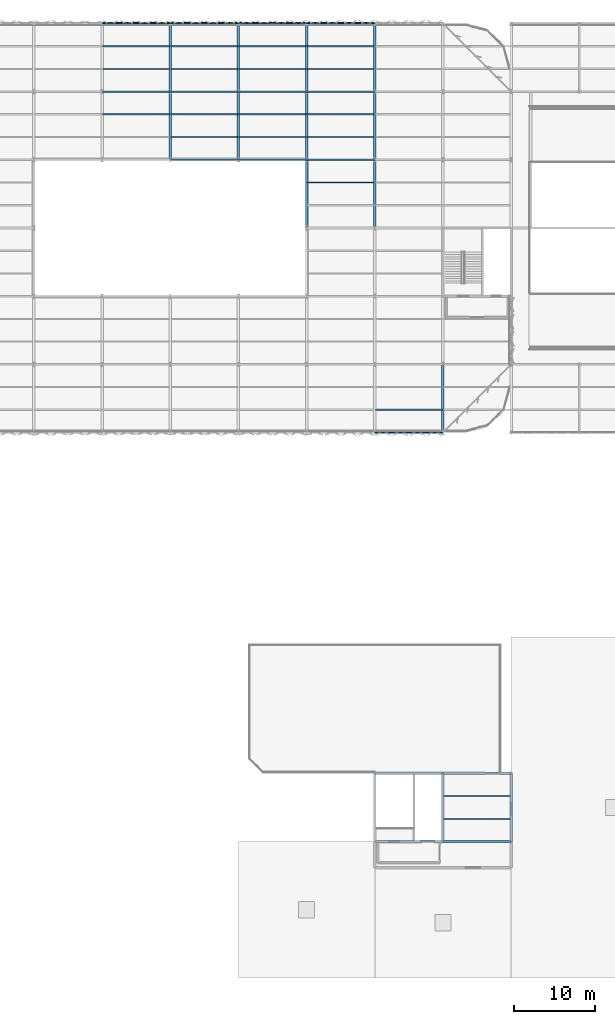
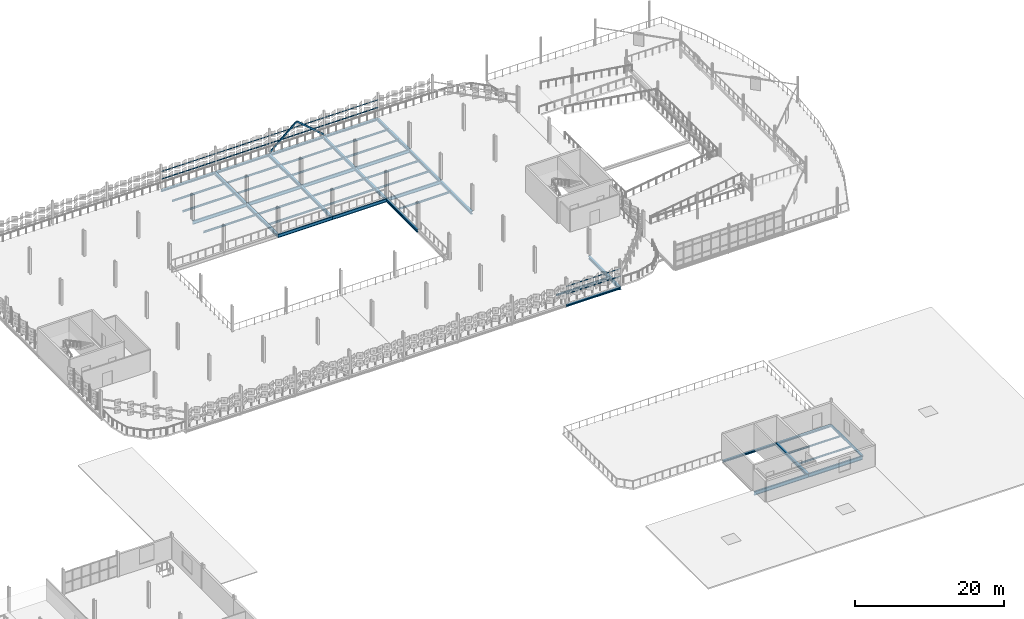
# One storey, part 29 of 69: 58 beams, 2 members.
"""IFC4 building model written with IfcOpenShell, lengths in metres."""

from ifc_helpers import new_model, si_unit, direction, frame, origin, origin_2d, place, context, subcontext, project, spatial, hollow_rectangle, i_section, extrude, material, material_profile, profile_set, type_object, element, save


model = new_model("IFC4")

# Units and contexts
model_context = context("Model", 3, precision=1e-05, world=origin(), true_north=direction((0.0, 1.0)))
body_context = subcontext(model_context, "Body", "Model", "MODEL_VIEW")
ifc_project = project(units=[si_unit("LENGTHUNIT", "METRE"), si_unit("AREAUNIT", "SQUARE_METRE"), si_unit("VOLUMEUNIT", "CUBIC_METRE"), si_unit("PLANEANGLEUNIT", "RADIAN"), si_unit("MASSUNIT", "GRAM", prefix="KILO")], contexts=[model_context])

# Site, building, storey
site_placement = place(None, origin())
site = spatial("IfcSite", under=ifc_project, at=site_placement, CompositionType="ELEMENT")
building_placement = place(site_placement, origin())
building = spatial("IfcBuilding", under=site, at=building_placement, Name="Qalvenar Corner Mobility Hub", CompositionType="ELEMENT")
storey_placement = place(building_placement, frame((0.0, 0.0, 13.199951171875)))
storey = spatial("IfcBuildingStorey", under=building, at=storey_placement, Name="L03", CompositionType="ELEMENT", Elevation=13.199951171875)

# Beams
ifc_material = material(Name="Steel S355", Category="steel")
ifc_material_profile_1 = material_profile(ifc_material, i_section(OverallWidth=0.300048828125, OverallDepth=0.489990234375, WebThickness=0.011962890625, FlangeThickness=0.02294921875, FilletRadius=0.027099609375, at=origin_2d()), Name="HEA500")
ifc_profile_set_1 = profile_set([ifc_material_profile_1], Name="Steel S355")
beam_type_1 = type_object("IfcBeamType", Name="BM-HEA500", PredefinedType="BEAM", material=ifc_profile_set_1)
for number, where, z_axis, x_axis, name in (
    (1, (134.39990234375, 16.800048828125, -0.494873046875), (0.0, 1.0, 0.0), (-1.0, 0.0, 0.0), "Primary Steel Girder GY-2321"),
    (2, (100.800048828125, 100.800048828125, -0.48486328125), (0.0, 1.0, 0.0), (-1.0, 0.0, 0.0), "Primary Steel Girder GY-2415"),
):
    element("IfcBeam", number, at=place(storey_placement, frame(where, z_axis=z_axis, x_axis=x_axis)), inside=storey, type_object=beam_type_1, Name=name, PredefinedType="BEAM", context=body_context, shape_type="SweptSolid", body=[
        extrude(i_section(OverallWidth=0.300048828125, OverallDepth=0.489990234375, WebThickness=0.011962890625, FlangeThickness=0.02294921875, FilletRadius=0.027099609375, at=origin_2d()), origin(), (0.0, 0.0, 1.0), 8.39990234375),
    ])
beam_1_placement = place(storey_placement, frame((100.800048828125, 109.199951171875, -0.48486328125), z_axis=(0.0, 1.0, 0.0), x_axis=(-1.0, 0.0, 0.0)))
element("IfcBeam", 3, at=beam_1_placement, inside=storey, type_object=beam_type_1, Name="Primary Steel Girder GY-2416", PredefinedType="BEAM", context=body_context, shape_type="SweptSolid", body=[
    extrude(i_section(OverallWidth=0.300048828125, OverallDepth=0.489990234375, WebThickness=0.011962890625, FlangeThickness=0.02294921875, FilletRadius=0.027099609375, at=origin_2d()), origin(), (0.0, 0.0, 1.0), 8.400146484375),
])
beam_2_placement = place(storey_placement, frame((109.199951171875, 100.800048828125, -0.48486328125), z_axis=(0.0, 1.0, 0.0), x_axis=(-1.0, 0.0, 0.0)))
element("IfcBeam", 4, at=beam_2_placement, inside=storey, type_object=beam_type_1, Name="Primary Steel Girder GY-2419", PredefinedType="BEAM", context=body_context, shape_type="SweptSolid", body=[
    extrude(i_section(OverallWidth=0.300048828125, OverallDepth=0.489990234375, WebThickness=0.011962890625, FlangeThickness=0.02294921875, FilletRadius=0.027099609375, at=origin_2d()), origin(), (0.0, 0.0, 1.0), 8.39990234375),
])
for number, where, z_axis, x_axis, name in (
    (5, (109.199951171875, 109.199951171875, -0.48486328125), (0.0, 1.0, 0.0), (-1.0, 0.0, 0.0), "Primary Steel Girder GY-2420"),
    (6, (117.60009765625, 92.39990234375, -0.48486328125), (0.0, 1.0, 0.0), (-1.0, 0.0, 0.0), "Primary Steel Girder GY-2424"),
):
    element("IfcBeam", number, at=place(storey_placement, frame(where, z_axis=z_axis, x_axis=x_axis)), inside=storey, type_object=beam_type_1, Name=name, PredefinedType="BEAM", context=body_context, shape_type="SweptSolid", body=[
        extrude(i_section(OverallWidth=0.300048828125, OverallDepth=0.489990234375, WebThickness=0.011962890625, FlangeThickness=0.02294921875, FilletRadius=0.027099609375, at=origin_2d()), origin(), (0.0, 0.0, 1.0), 8.400146484375),
    ])
beam_3_placement = place(storey_placement, frame((117.60009765625, 100.800048828125, -0.48486328125), z_axis=(0.0, 1.0, 0.0), x_axis=(-1.0, 0.0, 0.0)))
element("IfcBeam", 7, at=beam_3_placement, inside=storey, type_object=beam_type_1, Name="Primary Steel Girder GY-2425", PredefinedType="BEAM", context=body_context, shape_type="SweptSolid", body=[
    extrude(i_section(OverallWidth=0.300048828125, OverallDepth=0.489990234375, WebThickness=0.011962890625, FlangeThickness=0.02294921875, FilletRadius=0.027099609375, at=origin_2d()), origin(), (0.0, 0.0, 1.0), 8.39990234375),
])
for number, where, z_axis, x_axis, name in (
    (8, (117.60009765625, 109.199951171875, -0.48486328125), (0.0, 1.0, 0.0), (-1.0, 0.0, 0.0), "Primary Steel Girder GY-2426"),
    (9, (126.0, 92.39990234375, -0.48486328125), (0.0, 1.0, 0.0), (-1.0, 0.0, 0.0), "Primary Steel Girder GY-2430"),
):
    element("IfcBeam", number, at=place(storey_placement, frame(where, z_axis=z_axis, x_axis=x_axis)), inside=storey, type_object=beam_type_1, Name=name, PredefinedType="BEAM", context=body_context, shape_type="SweptSolid", body=[
        extrude(i_section(OverallWidth=0.300048828125, OverallDepth=0.489990234375, WebThickness=0.011962890625, FlangeThickness=0.02294921875, FilletRadius=0.027099609375, at=origin_2d()), origin(), (0.0, 0.0, 1.0), 8.400146484375),
    ])
beam_4_placement = place(storey_placement, frame((126.0, 100.800048828125, -0.48486328125), z_axis=(0.0, 1.0, 0.0), x_axis=(-1.0, 0.0, 0.0)))
element("IfcBeam", 10, at=beam_4_placement, inside=storey, type_object=beam_type_1, Name="Primary Steel Girder GY-2431", PredefinedType="BEAM", context=body_context, shape_type="SweptSolid", body=[
    extrude(i_section(OverallWidth=0.300048828125, OverallDepth=0.489990234375, WebThickness=0.011962890625, FlangeThickness=0.02294921875, FilletRadius=0.027099609375, at=origin_2d()), origin(), (0.0, 0.0, 1.0), 8.39990234375),
])
for number, where, z_axis, x_axis, name in (
    (11, (126.0, 109.199951171875, -0.48486328125), (0.0, 1.0, 0.0), (-1.0, 0.0, 0.0), "Primary Steel Girder GY-2432"),
    (12, (134.39990234375, 67.199951171875, -0.48486328125), (0.0, 1.0, 0.0), (-1.0, 0.0, 0.0), "Primary Steel Girder GY-2433"),
):
    element("IfcBeam", number, at=place(storey_placement, frame(where, z_axis=z_axis, x_axis=x_axis)), inside=storey, type_object=beam_type_1, Name=name, PredefinedType="BEAM", context=body_context, shape_type="SweptSolid", body=[
        extrude(i_section(OverallWidth=0.300048828125, OverallDepth=0.489990234375, WebThickness=0.011962890625, FlangeThickness=0.02294921875, FilletRadius=0.027099609375, at=origin_2d()), origin(), (0.0, 0.0, 1.0), 8.400146484375),
    ])
ifc_material_profile_2 = material_profile(ifc_material, i_section(OverallWidth=0.2099609375, OverallDepth=0.550048828125, WebThickness=0.010986328125, FlangeThickness=0.01708984375, FilletRadius=0.02392578125, at=origin_2d()), Name="IPE550")
ifc_profile_set_2 = profile_set([ifc_material_profile_2], Name="Steel S355")
beam_type_2 = type_object("IfcBeamType", Name="BM-IPE550", PredefinedType="BEAM", material=ifc_profile_set_2)
beam_5_placement = place(storey_placement, frame((100.800048828125, 100.800048828125, -0.514892578125), z_axis=(1.0, 0.0, 0.0), x_axis=(0.0, 1.0, 0.0)))
element("IfcBeam", 13, at=beam_5_placement, inside=storey, type_object=beam_type_2, Name="Primary Steel Girder GX-2364", PredefinedType="BEAM", context=body_context, shape_type="SweptSolid", body=[
    extrude(i_section(OverallWidth=0.2099609375, OverallDepth=0.550048828125, WebThickness=0.010986328125, FlangeThickness=0.01708984375, FilletRadius=0.02392578125, at=origin_2d()), origin(), (0.0, 0.0, 1.0), 8.39990234375),
])
beam_6_placement = place(storey_placement, frame((109.199951171875, 100.800048828125, -0.514892578125), z_axis=(1.0, 0.0, 0.0), x_axis=(0.0, 1.0, 0.0)))
element("IfcBeam", 14, at=beam_6_placement, inside=storey, type_object=beam_type_2, Name="Primary Steel Girder GX-2365", PredefinedType="BEAM", context=body_context, shape_type="SweptSolid", body=[
    extrude(i_section(OverallWidth=0.2099609375, OverallDepth=0.550048828125, WebThickness=0.010986328125, FlangeThickness=0.01708984375, FilletRadius=0.02392578125, at=origin_2d()), origin(), (0.0, 0.0, 1.0), 8.400146484375),
])
beam_7_placement = place(storey_placement, frame((117.60009765625, 100.800048828125, -0.514892578125), z_axis=(1.0, 0.0, 0.0), x_axis=(0.0, 1.0, 0.0)))
element("IfcBeam", 15, at=beam_7_placement, inside=storey, type_object=beam_type_2, Name="Primary Steel Girder GX-2366", PredefinedType="BEAM", context=body_context, shape_type="SweptSolid", body=[
    extrude(i_section(OverallWidth=0.2099609375, OverallDepth=0.550048828125, WebThickness=0.010986328125, FlangeThickness=0.01708984375, FilletRadius=0.02392578125, at=origin_2d()), origin(), (0.0, 0.0, 1.0), 8.39990234375),
])
beam_8_placement = place(storey_placement, frame((92.39990234375, 109.199951171875, -0.514892578125), z_axis=(1.0, 0.0, 0.0), x_axis=(0.0, 1.0, 0.0)))
element("IfcBeam", 16, at=beam_8_placement, inside=storey, type_object=beam_type_2, Name="Primary Steel Girder GX-2373", PredefinedType="BEAM", context=body_context, shape_type="SweptSolid", body=[
    extrude(i_section(OverallWidth=0.2099609375, OverallDepth=0.550048828125, WebThickness=0.010986328125, FlangeThickness=0.01708984375, FilletRadius=0.02392578125, at=origin_2d()), origin(), (0.0, 0.0, 1.0), 8.400146484375),
])
beam_9_placement = place(storey_placement, frame((100.800048828125, 109.199951171875, -0.514892578125), z_axis=(1.0, 0.0, 0.0), x_axis=(0.0, 1.0, 0.0)))
element("IfcBeam", 17, at=beam_9_placement, inside=storey, type_object=beam_type_2, Name="Primary Steel Girder GX-2374", PredefinedType="BEAM", context=body_context, shape_type="SweptSolid", body=[
    extrude(i_section(OverallWidth=0.2099609375, OverallDepth=0.550048828125, WebThickness=0.010986328125, FlangeThickness=0.01708984375, FilletRadius=0.02392578125, at=origin_2d()), origin(), (0.0, 0.0, 1.0), 8.39990234375),
])
beam_10_placement = place(storey_placement, frame((109.199951171875, 109.199951171875, -0.514892578125), z_axis=(1.0, 0.0, 0.0), x_axis=(0.0, 1.0, 0.0)))
element("IfcBeam", 18, at=beam_10_placement, inside=storey, type_object=beam_type_2, Name="Primary Steel Girder GX-2375", PredefinedType="BEAM", context=body_context, shape_type="SweptSolid", body=[
    extrude(i_section(OverallWidth=0.2099609375, OverallDepth=0.550048828125, WebThickness=0.010986328125, FlangeThickness=0.01708984375, FilletRadius=0.02392578125, at=origin_2d()), origin(), (0.0, 0.0, 1.0), 8.400146484375),
])
beam_11_placement = place(storey_placement, frame((117.60009765625, 109.199951171875, -0.514892578125), z_axis=(1.0, 0.0, 0.0), x_axis=(0.0, 1.0, 0.0)))
element("IfcBeam", 19, at=beam_11_placement, inside=storey, type_object=beam_type_2, Name="Primary Steel Girder GX-2376", PredefinedType="BEAM", context=body_context, shape_type="SweptSolid", body=[
    extrude(i_section(OverallWidth=0.2099609375, OverallDepth=0.550048828125, WebThickness=0.010986328125, FlangeThickness=0.01708984375, FilletRadius=0.02392578125, at=origin_2d()), origin(), (0.0, 0.0, 1.0), 8.39990234375),
])
ifc_material_profile_3 = material_profile(ifc_material, i_section(OverallWidth=0.219970703125, OverallDepth=0.60009765625, WebThickness=0.011962890625, FlangeThickness=0.01904296875, FilletRadius=0.02392578125, at=origin_2d()), Name="IPE600")
ifc_profile_set_3 = profile_set([ifc_material_profile_3], Name="Steel S355")
beam_type_3 = type_object("IfcBeamType", Name="BM-IPE600", PredefinedType="BEAM", material=ifc_profile_set_3)
beam_12_placement = place(storey_placement, frame((126.0, 16.800048828125, -0.550048828125), z_axis=(1.0, 0.0, 0.0), x_axis=(0.0, 1.0, 0.0)))
element("IfcBeam", 20, at=beam_12_placement, inside=storey, type_object=beam_type_3, Name="Primary Steel Girder GX-2316", PredefinedType="BEAM", context=body_context, shape_type="SweptSolid", body=[
    extrude(i_section(OverallWidth=0.219970703125, OverallDepth=0.60009765625, WebThickness=0.011962890625, FlangeThickness=0.01904296875, FilletRadius=0.02392578125, at=origin_2d()), origin(), (0.0, 0.0, 1.0), 8.39990234375),
])
beam_13_placement = place(storey_placement, frame((134.39990234375, 16.800048828125, -0.550048828125), z_axis=(1.0, 0.0, 0.0), x_axis=(0.0, 1.0, 0.0)))
element("IfcBeam", 21, at=beam_13_placement, inside=storey, type_object=beam_type_3, Name="Primary Steel Girder GX-2317", PredefinedType="BEAM", context=body_context, shape_type="SweptSolid", body=[
    extrude(i_section(OverallWidth=0.219970703125, OverallDepth=0.60009765625, WebThickness=0.011962890625, FlangeThickness=0.01904296875, FilletRadius=0.02392578125, at=origin_2d()), origin(), (0.0, 0.0, 1.0), 8.400146484375),
])
ifc_material_profile_4 = material_profile(ifc_material, i_section(OverallWidth=0.135009765625, OverallDepth=0.27001953125, WebThickness=0.006591796875, FlangeThickness=0.01025390625, FilletRadius=0.014892578125, at=origin_2d()), Name="IPE270")
ifc_profile_set_4 = profile_set([ifc_material_profile_4], Name="Steel S355")
beam_type_4 = type_object("IfcBeamType", Name="BM-JST270", PredefinedType="JOIST", material=ifc_profile_set_4)
for number, where, z_axis, x_axis, name in (
    (22, (134.47802734375, 19.60009765625, -0.385009765625), (1.0, 0.0, 0.0), (0.0, 1.0, 0.0), "Composite Floor Joist J-2323"),
    (23, (134.47802734375, 22.39990234375, -0.385009765625), (1.0, 0.0, 0.0), (0.0, 1.0, 0.0), "Composite Floor Joist J-2324"),
):
    element("IfcBeam", number, at=place(storey_placement, frame(where, z_axis=z_axis, x_axis=x_axis)), inside=storey, type_object=beam_type_4, Name=name, PredefinedType="JOIST", context=body_context, shape_type="SweptSolid", body=[
        extrude(i_section(OverallWidth=0.135009765625, OverallDepth=0.27001953125, WebThickness=0.006591796875, FlangeThickness=0.01025390625, FilletRadius=0.014892578125, at=origin_2d()), origin(), (0.0, 0.0, 1.0), 8.243896484375),
    ])
ifc_material_profile_5 = material_profile(ifc_material, i_section(OverallWidth=0.14990234375, OverallDepth=0.300048828125, WebThickness=0.007080078125, FlangeThickness=0.0107421875, FilletRadius=0.014892578125, at=origin_2d()), Name="IPE300")
ifc_profile_set_5 = profile_set([ifc_material_profile_5], Name="Steel S355")
beam_type_5 = type_object("IfcBeamType", Name="BM-JST300", PredefinedType="JOIST", material=ifc_profile_set_5)
for number, where, z_axis, x_axis, name in (
    (24, (92.47802734375, 106.39990234375, -0.389892578125), (1.0, 0.0, 0.0), (0.0, 1.0, 0.0), "Composite Floor Joist J-2486"),
    (25, (92.47802734375, 112.0, -0.389892578125), (1.0, 0.0, 0.0), (0.0, 1.0, 0.0), "Composite Floor Joist J-2487"),
    (26, (92.47802734375, 114.800048828125, -0.389892578125), (1.0, 0.0, 0.0), (0.0, 1.0, 0.0), "Composite Floor Joist J-2488"),
):
    element("IfcBeam", number, at=place(storey_placement, frame(where, z_axis=z_axis, x_axis=x_axis)), inside=storey, type_object=beam_type_5, Name=name, PredefinedType="JOIST", context=body_context, shape_type="SweptSolid", body=[
        extrude(i_section(OverallWidth=0.14990234375, OverallDepth=0.300048828125, WebThickness=0.007080078125, FlangeThickness=0.0107421875, FilletRadius=0.014892578125, at=origin_2d()), origin(), (0.0, 0.0, 1.0), 8.243896484375),
    ])
for number, where, z_axis, x_axis, name in (
    (27, (100.8779296875, 103.60009765625, -0.389892578125), (1.0, 0.0, 0.0), (0.0, 1.0, 0.0), "Composite Floor Joist J-2493"),
    (28, (100.8779296875, 106.39990234375, -0.389892578125), (1.0, 0.0, 0.0), (0.0, 1.0, 0.0), "Composite Floor Joist J-2494"),
    (29, (100.8779296875, 112.0, -0.389892578125), (1.0, 0.0, 0.0), (0.0, 1.0, 0.0), "Composite Floor Joist J-2495"),
    (30, (100.8779296875, 114.800048828125, -0.389892578125), (1.0, 0.0, 0.0), (0.0, 1.0, 0.0), "Composite Floor Joist J-2496"),
):
    element("IfcBeam", number, at=place(storey_placement, frame(where, z_axis=z_axis, x_axis=x_axis)), inside=storey, type_object=beam_type_5, Name=name, PredefinedType="JOIST", context=body_context, shape_type="SweptSolid", body=[
        extrude(i_section(OverallWidth=0.14990234375, OverallDepth=0.300048828125, WebThickness=0.007080078125, FlangeThickness=0.0107421875, FilletRadius=0.014892578125, at=origin_2d()), origin(), (0.0, 0.0, 1.0), 8.244140625),
    ])
for number, where, z_axis, x_axis, name in (
    (31, (109.278076171875, 103.60009765625, -0.389892578125), (1.0, 0.0, 0.0), (0.0, 1.0, 0.0), "Composite Floor Joist J-2501"),
    (32, (109.278076171875, 106.39990234375, -0.389892578125), (1.0, 0.0, 0.0), (0.0, 1.0, 0.0), "Composite Floor Joist J-2502"),
    (33, (109.278076171875, 112.0, -0.389892578125), (1.0, 0.0, 0.0), (0.0, 1.0, 0.0), "Composite Floor Joist J-2503"),
    (34, (109.278076171875, 114.800048828125, -0.389892578125), (1.0, 0.0, 0.0), (0.0, 1.0, 0.0), "Composite Floor Joist J-2504"),
):
    element("IfcBeam", number, at=place(storey_placement, frame(where, z_axis=z_axis, x_axis=x_axis)), inside=storey, type_object=beam_type_5, Name=name, PredefinedType="JOIST", context=body_context, shape_type="SweptSolid", body=[
        extrude(i_section(OverallWidth=0.14990234375, OverallDepth=0.300048828125, WebThickness=0.007080078125, FlangeThickness=0.0107421875, FilletRadius=0.014892578125, at=origin_2d()), origin(), (0.0, 0.0, 1.0), 8.243896484375),
    ])
for number, where, z_axis, x_axis, name in (
    (35, (117.677978515625, 98.0, -0.389892578125), (1.0, 0.0, 0.0), (0.0, 1.0, 0.0), "Composite Floor Joist J-2512"),
    (36, (117.677978515625, 103.60009765625, -0.389892578125), (1.0, 0.0, 0.0), (0.0, 1.0, 0.0), "Composite Floor Joist J-2513"),
    (37, (117.677978515625, 106.39990234375, -0.389892578125), (1.0, 0.0, 0.0), (0.0, 1.0, 0.0), "Composite Floor Joist J-2514"),
    (38, (117.677978515625, 112.0, -0.389892578125), (1.0, 0.0, 0.0), (0.0, 1.0, 0.0), "Composite Floor Joist J-2515"),
    (39, (117.677978515625, 114.800048828125, -0.389892578125), (1.0, 0.0, 0.0), (0.0, 1.0, 0.0), "Composite Floor Joist J-2516"),
    (40, (126.077880859375, 70.0, -0.389892578125), (1.0, 0.0, 0.0), (0.0, 1.0, 0.0), "Composite Floor Joist J-2517"),
):
    element("IfcBeam", number, at=place(storey_placement, frame(where, z_axis=z_axis, x_axis=x_axis)), inside=storey, type_object=beam_type_5, Name=name, PredefinedType="JOIST", context=body_context, shape_type="SweptSolid", body=[
        extrude(i_section(OverallWidth=0.14990234375, OverallDepth=0.300048828125, WebThickness=0.007080078125, FlangeThickness=0.0107421875, FilletRadius=0.014892578125, at=origin_2d()), origin(), (0.0, 0.0, 1.0), 8.244140625),
    ])
ifc_material_profile_6 = material_profile(ifc_material, i_section(OverallWidth=0.280029296875, OverallDepth=0.27001953125, WebThickness=0.008056640625, FlangeThickness=0.012939453125, FilletRadius=0.02392578125, at=origin_2d()), Name="HEA280")
ifc_profile_set_6 = profile_set([ifc_material_profile_6], Name="Steel S355")
beam_type_6 = type_object("IfcBeamType", Name="BM-SPN280", PredefinedType="SPANDREL", material=ifc_profile_set_6)
beam_14_placement = place(storey_placement, frame((142.800048828125, 16.800048828125, -0.385009765625), z_axis=(0.0, 1.0, 0.0), x_axis=(-1.0, 0.0, 0.0)))
element("IfcBeam", 41, at=beam_14_placement, inside=storey, type_object=beam_type_6, Name="Primary Steel Girder GY-2322", PredefinedType="SPANDREL", context=body_context, shape_type="SweptSolid", body=[
    extrude(i_section(OverallWidth=0.280029296875, OverallDepth=0.27001953125, WebThickness=0.008056640625, FlangeThickness=0.012939453125, FilletRadius=0.02392578125, at=origin_2d()), origin(), (0.0, 0.0, 1.0), 8.39990234375),
])
ifc_material_profile_7 = material_profile(ifc_material, i_section(OverallWidth=0.300048828125, OverallDepth=0.2900390625, WebThickness=0.008544921875, FlangeThickness=0.013916015625, FilletRadius=0.027099609375, at=origin_2d()), Name="HEA300")
ifc_profile_set_7 = profile_set([ifc_material_profile_7], Name="Steel S355")
beam_type_7 = type_object("IfcBeamType", Name="BM-SPN300", PredefinedType="SPANDREL", material=ifc_profile_set_7)
beam_15_placement = place(storey_placement, frame((126.0, 25.199951171875, -0.39990234375), z_axis=(1.0, 0.0, 0.0), x_axis=(0.0, 1.0, 0.0)))
element("IfcBeam", 42, at=beam_15_placement, inside=storey, type_object=beam_type_7, Name="Primary Steel Girder GX-2318", PredefinedType="SPANDREL", context=body_context, shape_type="SweptSolid", body=[
    extrude(i_section(OverallWidth=0.300048828125, OverallDepth=0.2900390625, WebThickness=0.008544921875, FlangeThickness=0.013916015625, FilletRadius=0.027099609375, at=origin_2d()), origin(), (0.0, 0.0, 1.0), 8.39990234375),
])
beam_16_placement = place(storey_placement, frame((134.39990234375, 25.199951171875, -0.39990234375), z_axis=(1.0, 0.0, 0.0), x_axis=(0.0, 1.0, 0.0)))
element("IfcBeam", 43, at=beam_16_placement, inside=storey, type_object=beam_type_7, Name="Primary Steel Girder GX-2319", PredefinedType="SPANDREL", context=body_context, shape_type="SweptSolid", body=[
    extrude(i_section(OverallWidth=0.300048828125, OverallDepth=0.2900390625, WebThickness=0.008544921875, FlangeThickness=0.013916015625, FilletRadius=0.027099609375, at=origin_2d()), origin(), (0.0, 0.0, 1.0), 8.400146484375),
])
beam_17_placement = place(storey_placement, frame((126.0, 67.199951171875, -0.385009765625), z_axis=(1.0, 0.0, 0.0), x_axis=(0.0, 1.0, 0.0)))
element("IfcBeam", 44, at=beam_17_placement, inside=storey, type_object=beam_type_7, Name="Primary Steel Girder GX-2332", PredefinedType="SPANDREL", context=body_context, shape_type="SweptSolid", body=[
    extrude(i_section(OverallWidth=0.300048828125, OverallDepth=0.2900390625, WebThickness=0.008544921875, FlangeThickness=0.013916015625, FilletRadius=0.027099609375, at=origin_2d()), origin(), (0.0, 0.0, 1.0), 8.39990234375),
])
beam_18_placement = place(storey_placement, frame((92.39990234375, 117.60009765625, -0.385009765625), z_axis=(1.0, 0.0, 0.0), x_axis=(0.0, 1.0, 0.0)))
element("IfcBeam", 45, at=beam_18_placement, inside=storey, type_object=beam_type_7, Name="Primary Steel Girder GX-2382", PredefinedType="SPANDREL", context=body_context, shape_type="SweptSolid", body=[
    extrude(i_section(OverallWidth=0.300048828125, OverallDepth=0.2900390625, WebThickness=0.008544921875, FlangeThickness=0.013916015625, FilletRadius=0.027099609375, at=origin_2d()), origin(), (0.0, 0.0, 1.0), 8.400146484375),
])
beam_19_placement = place(storey_placement, frame((100.800048828125, 117.60009765625, -0.385009765625), z_axis=(1.0, 0.0, 0.0), x_axis=(0.0, 1.0, 0.0)))
element("IfcBeam", 46, at=beam_19_placement, inside=storey, type_object=beam_type_7, Name="Primary Steel Girder GX-2383", PredefinedType="SPANDREL", context=body_context, shape_type="SweptSolid", body=[
    extrude(i_section(OverallWidth=0.300048828125, OverallDepth=0.2900390625, WebThickness=0.008544921875, FlangeThickness=0.013916015625, FilletRadius=0.027099609375, at=origin_2d()), origin(), (0.0, 0.0, 1.0), 8.39990234375),
])
beam_20_placement = place(storey_placement, frame((109.199951171875, 117.60009765625, -0.385009765625), z_axis=(1.0, 0.0, 0.0), x_axis=(0.0, 1.0, 0.0)))
element("IfcBeam", 47, at=beam_20_placement, inside=storey, type_object=beam_type_7, Name="Primary Steel Girder GX-2384", PredefinedType="SPANDREL", context=body_context, shape_type="SweptSolid", body=[
    extrude(i_section(OverallWidth=0.300048828125, OverallDepth=0.2900390625, WebThickness=0.008544921875, FlangeThickness=0.013916015625, FilletRadius=0.027099609375, at=origin_2d()), origin(), (0.0, 0.0, 1.0), 8.400146484375),
])
beam_21_placement = place(storey_placement, frame((117.60009765625, 117.60009765625, -0.385009765625), z_axis=(1.0, 0.0, 0.0), x_axis=(0.0, 1.0, 0.0)))
element("IfcBeam", 48, at=beam_21_placement, inside=storey, type_object=beam_type_7, Name="Primary Steel Girder GX-2385", PredefinedType="SPANDREL", context=body_context, shape_type="SweptSolid", body=[
    extrude(i_section(OverallWidth=0.300048828125, OverallDepth=0.2900390625, WebThickness=0.008544921875, FlangeThickness=0.013916015625, FilletRadius=0.027099609375, at=origin_2d()), origin(), (0.0, 0.0, 1.0), 8.39990234375),
])

# Members
ifc_material_profile_8 = material_profile(ifc_material, hollow_rectangle(XDim=0.14990234375, YDim=0.25, WallThickness=0.010009765625, InnerFilletRadius=0.010009765625, OuterFilletRadius=0.02001953125, at=origin_2d()), Name="RHS250x150x10")
ifc_profile_set_8 = profile_set([ifc_material_profile_8], Name="Steel S355")
member_type = type_object("IfcMemberType", Name="BR-RHS250", PredefinedType="BRACE", material=ifc_profile_set_8)
for number, where, z_axis, x_axis, name in (
    (49, (109.199951171875, 117.60009765625, 0.02001953125), (0.757457263903, 0.0, 0.652884747379), (0.0, 1.0, 0.0), "Chevron Lateral Brace BR-035"),
    (50, (117.60009765625, 117.60009765625, 0.02001953125), (-0.757476031353, 0.0, 0.652862973315), (0.0, -1.0, 0.0), "Chevron Lateral Brace BR-036"),
):
    element("IfcMember", number, at=place(storey_placement, frame(where, z_axis=z_axis, x_axis=x_axis)), inside=storey, type_object=member_type, Name=name, PredefinedType="BRACE", context=body_context, shape_type="SweptSolid", body=[
        extrude(hollow_rectangle(XDim=0.14990234375, YDim=0.25, WallThickness=0.010009765625, InnerFilletRadius=0.010009765625, OuterFilletRadius=0.02001953125, at=origin_2d()), origin(), (0.0, 0.0, 1.0), 5.544921875),
    ])

# Beams
ifc_material_profile_9 = material_profile(ifc_material, hollow_rectangle(XDim=0.080078125, YDim=0.1201171875, WallThickness=0.0048828125, InnerFilletRadius=0.0048828125, OuterFilletRadius=0.010009765625, at=origin_2d()), Name="RHS120x80x5")
ifc_profile_set_9 = profile_set([ifc_material_profile_9], Name="Steel S355")
beam_type_8 = type_object("IfcBeamType", Name="FR-RAIL120", PredefinedType="SPANDREL", material=ifc_profile_set_9)
for number, where, z_axis, x_axis, name in (
    (51, (126.0, 67.199951171875, 2.75), (1.0, 0.0, 0.0), (0.0, 1.0, 0.0), "Facade Hinge Support Rail FR-L03-0112"),
    (52, (126.0, 117.60009765625, 2.75), (-1.0, 0.0, 0.0), (0.0, -1.0, 0.0), "Facade Hinge Support Rail FR-L03-0116"),
):
    element("IfcBeam", number, at=place(storey_placement, frame(where, z_axis=z_axis, x_axis=x_axis)), inside=storey, type_object=beam_type_8, Name=name, PredefinedType="SPANDREL", context=body_context, shape_type="SweptSolid", body=[
        extrude(hollow_rectangle(XDim=0.080078125, YDim=0.1201171875, WallThickness=0.0048828125, InnerFilletRadius=0.0048828125, OuterFilletRadius=0.010009765625, at=origin_2d()), origin(), (0.0, 0.0, 1.0), 8.39990234375),
    ])
beam_22_placement = place(storey_placement, frame((117.60009765625, 117.60009765625, 2.75), z_axis=(-1.0, 0.0, 0.0), x_axis=(0.0, -1.0, 0.0)))
element("IfcBeam", 53, at=beam_22_placement, inside=storey, type_object=beam_type_8, Name="Facade Hinge Support Rail FR-L03-0118", PredefinedType="SPANDREL", context=body_context, shape_type="SweptSolid", body=[
    extrude(hollow_rectangle(XDim=0.080078125, YDim=0.1201171875, WallThickness=0.0048828125, InnerFilletRadius=0.0048828125, OuterFilletRadius=0.010009765625, at=origin_2d()), origin(), (0.0, 0.0, 1.0), 8.400146484375),
])
beam_23_placement = place(storey_placement, frame((109.199951171875, 117.60009765625, 2.75), z_axis=(-1.0, 0.0, 0.0), x_axis=(0.0, -1.0, 0.0)))
element("IfcBeam", 54, at=beam_23_placement, inside=storey, type_object=beam_type_8, Name="Facade Hinge Support Rail FR-L03-0120", PredefinedType="SPANDREL", context=body_context, shape_type="SweptSolid", body=[
    extrude(hollow_rectangle(XDim=0.080078125, YDim=0.1201171875, WallThickness=0.0048828125, InnerFilletRadius=0.0048828125, OuterFilletRadius=0.010009765625, at=origin_2d()), origin(), (0.0, 0.0, 1.0), 8.39990234375),
])
beam_24_placement = place(storey_placement, frame((100.800048828125, 117.60009765625, 2.75), z_axis=(-1.0, 0.0, 0.0), x_axis=(0.0, -1.0, 0.0)))
element("IfcBeam", 55, at=beam_24_placement, inside=storey, type_object=beam_type_8, Name="Facade Hinge Support Rail FR-L03-0122", PredefinedType="SPANDREL", context=body_context, shape_type="SweptSolid", body=[
    extrude(hollow_rectangle(XDim=0.080078125, YDim=0.1201171875, WallThickness=0.0048828125, InnerFilletRadius=0.0048828125, OuterFilletRadius=0.010009765625, at=origin_2d()), origin(), (0.0, 0.0, 1.0), 8.400146484375),
])
ifc_material_profile_10 = material_profile(ifc_material, hollow_rectangle(XDim=0.10009765625, YDim=0.14990234375, WallThickness=0.00634765625, InnerFilletRadius=0.00634765625, OuterFilletRadius=0.0126953125, at=origin_2d()), Name="RHS150x100x6.3")
ifc_profile_set_10 = profile_set([ifc_material_profile_10], Name="Steel S355")
beam_type_9 = type_object("IfcBeamType", Name="FR-RAIL150", PredefinedType="SPANDREL", material=ifc_profile_set_10)
for number, where, z_axis, x_axis, name in (
    (56, (126.0, 67.199951171875, 1.5), (1.0, 0.0, 0.0), (0.0, 1.0, 0.0), "Facade Hinge Support Rail FR-L03-0111"),
    (57, (126.0, 117.60009765625, 1.5), (-1.0, 0.0, 0.0), (0.0, -1.0, 0.0), "Facade Hinge Support Rail FR-L03-0115"),
):
    element("IfcBeam", number, at=place(storey_placement, frame(where, z_axis=z_axis, x_axis=x_axis)), inside=storey, type_object=beam_type_9, Name=name, PredefinedType="SPANDREL", context=body_context, shape_type="SweptSolid", body=[
        extrude(hollow_rectangle(XDim=0.10009765625, YDim=0.14990234375, WallThickness=0.00634765625, InnerFilletRadius=0.00634765625, OuterFilletRadius=0.0126953125, at=origin_2d()), origin(), (0.0, 0.0, 1.0), 8.39990234375),
    ])
beam_25_placement = place(storey_placement, frame((117.60009765625, 117.60009765625, 1.5), z_axis=(-1.0, 0.0, 0.0), x_axis=(0.0, -1.0, 0.0)))
element("IfcBeam", 58, at=beam_25_placement, inside=storey, type_object=beam_type_9, Name="Facade Hinge Support Rail FR-L03-0117", PredefinedType="SPANDREL", context=body_context, shape_type="SweptSolid", body=[
    extrude(hollow_rectangle(XDim=0.10009765625, YDim=0.14990234375, WallThickness=0.00634765625, InnerFilletRadius=0.00634765625, OuterFilletRadius=0.0126953125, at=origin_2d()), origin(), (0.0, 0.0, 1.0), 8.400146484375),
])
beam_26_placement = place(storey_placement, frame((109.199951171875, 117.60009765625, 1.5), z_axis=(-1.0, 0.0, 0.0), x_axis=(0.0, -1.0, 0.0)))
element("IfcBeam", 59, at=beam_26_placement, inside=storey, type_object=beam_type_9, Name="Facade Hinge Support Rail FR-L03-0119", PredefinedType="SPANDREL", context=body_context, shape_type="SweptSolid", body=[
    extrude(hollow_rectangle(XDim=0.10009765625, YDim=0.14990234375, WallThickness=0.00634765625, InnerFilletRadius=0.00634765625, OuterFilletRadius=0.0126953125, at=origin_2d()), origin(), (0.0, 0.0, 1.0), 8.39990234375),
])
beam_27_placement = place(storey_placement, frame((100.800048828125, 117.60009765625, 1.5), z_axis=(-1.0, 0.0, 0.0), x_axis=(0.0, -1.0, 0.0)))
element("IfcBeam", 60, at=beam_27_placement, inside=storey, type_object=beam_type_9, Name="Facade Hinge Support Rail FR-L03-0121", PredefinedType="SPANDREL", context=body_context, shape_type="SweptSolid", body=[
    extrude(hollow_rectangle(XDim=0.10009765625, YDim=0.14990234375, WallThickness=0.00634765625, InnerFilletRadius=0.00634765625, OuterFilletRadius=0.0126953125, at=origin_2d()), origin(), (0.0, 0.0, 1.0), 8.400146484375),
])

save(model, "model.ifc")
